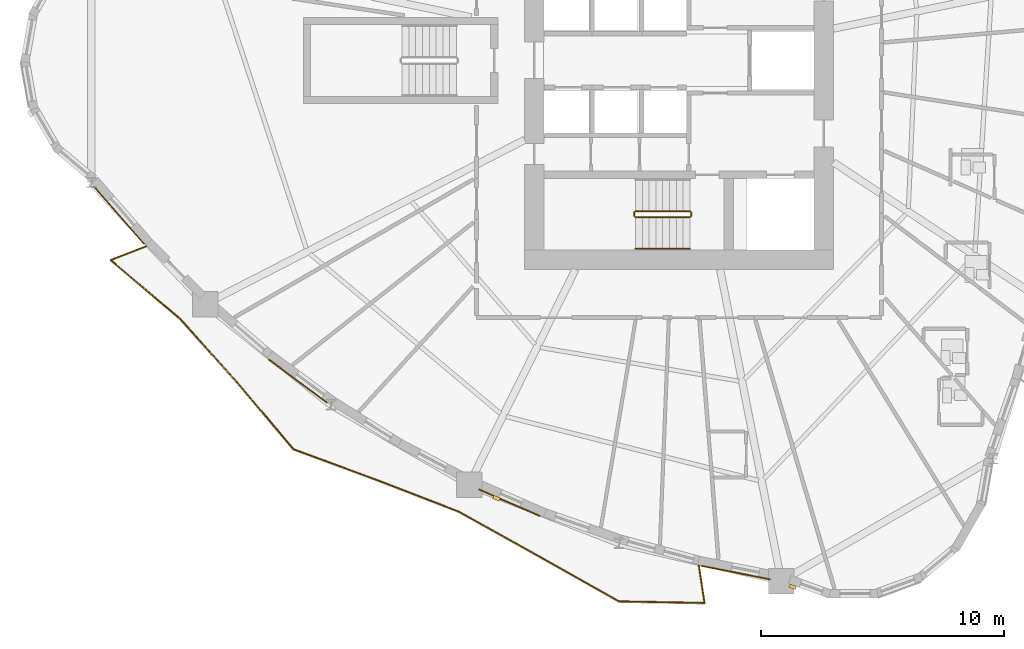
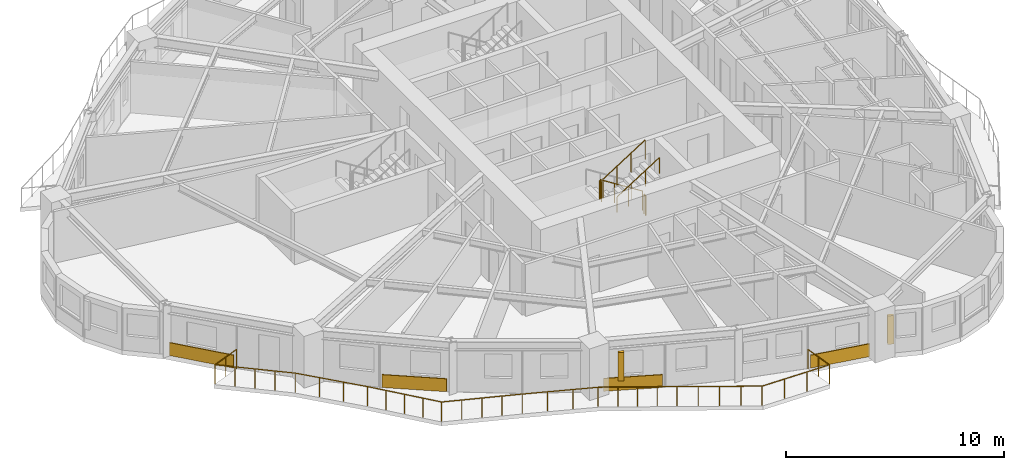
# One storey, part 10 of 13: 6 railings, 4 coverings, 2 shading devices.
"""IFC4 building model written with IfcOpenShell, lengths in metres."""

from ifc_helpers import new_model, si_unit, direction, frame, origin, origin_2d, place, context, subcontext, project, spatial, rectangle, circle, extrude, source, transform, mapped, material, layer, layer_set, type_object, element, save


model = new_model("IFC4")

# Units and contexts
model_context = context("Model", 3, precision=1e-05, world=origin(), true_north=direction((0.0, 1.0)))
body_context = subcontext(model_context, "Body", "Model", "MODEL_VIEW")
ifc_project = project(units=[si_unit("LENGTHUNIT", "METRE"), si_unit("AREAUNIT", "SQUARE_METRE"), si_unit("VOLUMEUNIT", "CUBIC_METRE"), si_unit("PLANEANGLEUNIT", "RADIAN"), si_unit("MASSUNIT", "GRAM", prefix="KILO")], contexts=[model_context])

# Site, building, storey
site_placement = place(None, origin())
site = spatial("IfcSite", under=ifc_project, at=site_placement, CompositionType="ELEMENT")
building_placement = place(site_placement, origin())
building = spatial("IfcBuilding", under=site, at=building_placement, Name="Qafzar Sky-Pleat Residences", CompositionType="ELEMENT")
storey_placement = place(building_placement, frame((0.0, 0.0, 62.199951171875)))
storey = spatial("IfcBuildingStorey", under=building, at=storey_placement, Name="L18", CompositionType="ELEMENT", Elevation=62.199951171875)

# Shading devices
ifc_material_1 = material(Name="Honed Riyadh limestone solar fin", Category="masonry")
ifc_layer_1 = layer(ifc_material_1, 0.139892578125)
ifc_layer_set_1 = layer_set([ifc_layer_1], Name="Honed Riyadh limestone solar fin")
shading_device_type = type_object("IfcShadingDeviceType", Name="SHD-FIN-STONE", PredefinedType="SHUTTER", material=ifc_layer_set_1)
shared_shape_1 = source(origin(), body_context, "Body", "SweptSolid", [
    extrude(rectangle(XDim=0.139892578125, YDim=0.280029296875, at=origin_2d()), origin(), (0.0, 0.0, 1.0), 1.60009765625),
])
for number, where, z_axis, x_axis, name in (
    (1, (22.841064453125, 7.992919921875, 0.60009765625), (0.0, 0.0, 1.0), (-0.398680668502, -0.917089812703, 0.0), "L18 Limestone Solar Fin 13"),
    (2, (35.025390625, 4.349853515625, 0.60009765625), (0.0, 0.0, 1.0), (-0.342010122116, -0.939696268148, 0.0), "L18 Limestone Solar Fin 17"),
):
    element("IfcShadingDevice", number, at=place(storey_placement, frame(where, z_axis=z_axis, x_axis=x_axis)), inside=storey, type_object=shading_device_type, Name=name, PredefinedType="SHUTTER", context=body_context, shape_type="MappedRepresentation", body=[
        mapped(shared_shape_1, transform((0.0, 0.0, 0.0), x_axis=(1.0, 0.0, 0.0), y_axis=(0.0, 1.0, 0.0), z_axis=(0.0, 0.0, 1.0), scale=1.0)),
    ])

# Railing
ifc_material_2 = material(Name="Laminated glass and bronze steel balustrade", Category="steel")
railing_type_1 = type_object("IfcRailingType", Name="RAIL-BAL-1100", PredefinedType="BALUSTRADE", material=ifc_material_2)
shared_shape_2 = source(origin(), body_context, "Body", "SweptSolid", [
    extrude(circle(Radius=0.02392578125, at=origin_2d()), frame((0.0, 0.0, 1.076171875), z_axis=(-0.931486844159, -0.36377501173, 0.0), x_axis=(0.36377501173, -0.931486844159, 0.0)), (0.0, 0.0, 1.0), 1.577880859375),
    extrude(circle(Radius=0.02392578125, at=origin_2d()), frame((-1.4697265625, -0.573974609375, 1.076171875), z_axis=(0.763477851211, -0.645834011733, 0.0), x_axis=(0.645834011733, 0.763477851211, 0.0)), (0.0, 0.0, 1.0), 3.74169921875),
    extrude(circle(Radius=0.02392578125, at=origin_2d()), frame((1.386962890625, -2.990478515625, 1.076171875), z_axis=(0.66855898606, -0.743659116907, 0.0), x_axis=(0.743659116907, 0.66855898606, 0.0)), (0.0, 0.0, 1.0), 3.491455078125),
    extrude(circle(Radius=0.02392578125, at=origin_2d()), frame((3.72119140625, -5.5869140625, 1.076171875), z_axis=(0.643786707783, -0.765204988798, 0.0), x_axis=(0.765204988798, 0.643786707783, 0.0)), (0.0, 0.0, 1.0), 3.619384765625),
    extrude(circle(Radius=0.02392578125, at=origin_2d()), frame((6.05126953125, -8.3564453125, 1.076171875), z_axis=(0.938365316755, -0.345645095889, 0.0), x_axis=(0.345645095889, 0.938365316755, 0.0)), (0.0, 0.0, 1.0), 3.7548828125),
    extrude(circle(Radius=0.02392578125, at=origin_2d()), frame((9.57470703125, -9.654296875, 1.076171875), z_axis=(0.932655934643, -0.360767109886, 0.0), x_axis=(0.360767109886, 0.932655934643, 0.0)), (0.0, 0.0, 1.0), 3.530517578125),
    extrude(circle(Radius=0.02392578125, at=origin_2d()), frame((12.867431640625, -10.927978515625, 1.076171875), z_axis=(0.873161609414, -0.487430819548, 0.0), x_axis=(0.487430819548, 0.873161609414, 0.0)), (0.0, 0.0, 1.0), 3.615234375),
    extrude(circle(Radius=0.02392578125, at=origin_2d()), frame((16.024169921875, -12.690185546875, 1.076171875), z_axis=(0.870966832131, -0.491341813127, 0.0), x_axis=(0.491341813127, 0.870966832131, 0.0)), (0.0, 0.0, 1.0), 3.9140625),
    extrude(circle(Radius=0.02392578125, at=origin_2d()), frame((19.43310546875, -14.61328125, 1.076171875), z_axis=(0.999826768842, -0.018612692098, 0.0), x_axis=(0.018612692098, 0.999826768842, 0.0)), (0.0, 0.0, 1.0), 3.528564453125),
    extrude(circle(Radius=0.02392578125, at=origin_2d()), frame((22.9609375, -14.678955078125, 1.076171875), z_axis=(-0.150708286598, 0.988578278312, 0.0), x_axis=(-0.988578278312, -0.150708286598, 0.0)), (0.0, 0.0, 1.0), 1.577880859375),
    extrude(circle(Radius=0.02099609375, at=origin_2d()), origin(), (0.0, 0.0, 1.0), 1.052001953125),
    extrude(circle(Radius=0.02099609375, at=origin_2d()), frame((-0.73486328125, -0.287109375, 0.0)), (0.0, 0.0, 1.0), 1.052001953125),
    extrude(circle(Radius=0.02099609375, at=origin_2d()), frame((-1.4697265625, -0.573974609375, 0.0)), (0.0, 0.0, 1.0), 1.052001953125),
    extrude(circle(Radius=0.02099609375, at=origin_2d()), frame((-0.755615234375, -1.17822265625, 0.0)), (0.0, 0.0, 1.0), 1.052001953125),
    extrude(circle(Radius=0.02099609375, at=origin_2d()), frame((-0.04150390625, -1.7822265625, 0.0)), (0.0, 0.0, 1.0), 1.052001953125),
    extrude(circle(Radius=0.02099609375, at=origin_2d()), frame((0.6728515625, -2.38623046875, 0.0)), (0.0, 0.0, 1.0), 1.052001953125),
    extrude(circle(Radius=0.02099609375, at=origin_2d()), frame((1.386962890625, -2.990478515625, 0.0)), (0.0, 0.0, 1.0), 1.052001953125),
    extrude(circle(Radius=0.02099609375, at=origin_2d()), frame((2.1650390625, -3.85595703125, 0.0)), (0.0, 0.0, 1.0), 1.052001953125),
    extrude(circle(Radius=0.02099609375, at=origin_2d()), frame((2.943115234375, -4.721435546875, 0.0)), (0.0, 0.0, 1.0), 1.052001953125),
    extrude(circle(Radius=0.02099609375, at=origin_2d()), frame((3.72119140625, -5.5869140625, 0.0)), (0.0, 0.0, 1.0), 1.052001953125),
    extrude(circle(Radius=0.02099609375, at=origin_2d()), frame((4.3037109375, -6.279296875, 0.0)), (0.0, 0.0, 1.0), 1.052001953125),
    extrude(circle(Radius=0.02099609375, at=origin_2d()), frame((4.88623046875, -6.9716796875, 0.0)), (0.0, 0.0, 1.0), 1.052001953125),
    extrude(circle(Radius=0.02099609375, at=origin_2d()), frame((5.46875, -7.6640625, 0.0)), (0.0, 0.0, 1.0), 1.052001953125),
    extrude(circle(Radius=0.02099609375, at=origin_2d()), frame((6.05126953125, -8.3564453125, 0.0)), (0.0, 0.0, 1.0), 1.052001953125),
    extrude(circle(Radius=0.02099609375, at=origin_2d()), frame((6.93212890625, -8.680908203125, 0.0)), (0.0, 0.0, 1.0), 1.052001953125),
    extrude(circle(Radius=0.02099609375, at=origin_2d()), frame((7.81298828125, -9.00537109375, 0.0)), (0.0, 0.0, 1.0), 1.052001953125),
    extrude(circle(Radius=0.02099609375, at=origin_2d()), frame((8.69384765625, -9.329833984375, 0.0)), (0.0, 0.0, 1.0), 1.052001953125),
    extrude(circle(Radius=0.02099609375, at=origin_2d()), frame((9.57470703125, -9.654296875, 0.0)), (0.0, 0.0, 1.0), 1.052001953125),
    extrude(circle(Radius=0.02099609375, at=origin_2d()), frame((10.67236328125, -10.078857421875, 0.0)), (0.0, 0.0, 1.0), 1.052001953125),
    extrude(circle(Radius=0.02099609375, at=origin_2d()), frame((11.769775390625, -10.50341796875, 0.0)), (0.0, 0.0, 1.0), 1.052001953125),
    extrude(circle(Radius=0.02099609375, at=origin_2d()), frame((12.867431640625, -10.927978515625, 0.0)), (0.0, 0.0, 1.0), 1.052001953125),
    extrude(circle(Radius=0.02099609375, at=origin_2d()), frame((13.65673828125, -11.36865234375, 0.0)), (0.0, 0.0, 1.0), 1.052001953125),
    extrude(circle(Radius=0.02099609375, at=origin_2d()), frame((14.44580078125, -11.80908203125, 0.0)), (0.0, 0.0, 1.0), 1.052001953125),
    extrude(circle(Radius=0.02099609375, at=origin_2d()), frame((15.23486328125, -12.24951171875, 0.0)), (0.0, 0.0, 1.0), 1.052001953125),
    extrude(circle(Radius=0.02099609375, at=origin_2d()), frame((16.024169921875, -12.690185546875, 0.0)), (0.0, 0.0, 1.0), 1.052001953125),
    extrude(circle(Radius=0.02099609375, at=origin_2d()), frame((16.87646484375, -13.1708984375, 0.0)), (0.0, 0.0, 1.0), 1.052001953125),
    extrude(circle(Radius=0.02099609375, at=origin_2d()), frame((17.728515625, -13.65185546875, 0.0)), (0.0, 0.0, 1.0), 1.052001953125),
    extrude(circle(Radius=0.02099609375, at=origin_2d()), frame((18.580810546875, -14.132568359375, 0.0)), (0.0, 0.0, 1.0), 1.052001953125),
    extrude(circle(Radius=0.02099609375, at=origin_2d()), frame((19.43310546875, -14.61328125, 0.0)), (0.0, 0.0, 1.0), 1.052001953125),
    extrude(circle(Radius=0.02099609375, at=origin_2d()), frame((20.609130859375, -14.63525390625, 0.0)), (0.0, 0.0, 1.0), 1.052001953125),
    extrude(circle(Radius=0.02099609375, at=origin_2d()), frame((21.784912109375, -14.656982421875, 0.0)), (0.0, 0.0, 1.0), 1.052001953125),
    extrude(circle(Radius=0.02099609375, at=origin_2d()), frame((22.9609375, -14.678955078125, 0.0)), (0.0, 0.0, 1.0), 1.052001953125),
    extrude(circle(Radius=0.02099609375, at=origin_2d()), frame((22.842041015625, -13.89892578125, 0.0)), (0.0, 0.0, 1.0), 1.052001953125),
    extrude(circle(Radius=0.02099609375, at=origin_2d()), frame((22.72314453125, -13.119140625, 0.0)), (0.0, 0.0, 1.0), 1.052001953125),
])
railing_1_placement = place(storey_placement, frame((8.44189453125, 18.36279296875, 0.0)))
element("IfcRailing", 3, at=railing_1_placement, inside=storey, type_object=railing_type_1, Name="L18 Pleated Balcony 3 Balustrade", PredefinedType="BALUSTRADE", context=body_context, shape_type="MappedRepresentation", body=[
    mapped(shared_shape_2, transform((0.0, 0.0, 0.0), x_axis=(1.0, 0.0, 0.0), y_axis=(0.0, 1.0, 0.0), z_axis=(0.0, 0.0, 1.0), scale=1.0)),
])

# Coverings
ifc_material_3 = material(Name="Honed Riyadh Tuwaiq limestone cladding", Category="masonry")
ifc_layer_2 = layer(ifc_material_3, 0.044921875)
ifc_layer_set_2 = layer_set([ifc_layer_2], Name="Honed Riyadh Tuwaiq limestone cladding")
covering_type = type_object("IfcCoveringType", Name="COV-CLAD-STONE", PredefinedType="CLADDING", material=ifc_layer_set_2)
shared_shape_3 = source(origin(), body_context, "Body", "SweptSolid", [
    extrude(rectangle(XDim=3.134033203125, YDim=0.044921875, at=origin_2d()), origin(), (0.0, 0.0, 1.0), 0.719970703125),
])
covering_1_placement = place(storey_placement, frame((7.316650390625, 19.635986328125, 0.02001953125), z_axis=(0.0, 0.0, 1.0), x_axis=(0.65761367339, -0.753355332211, 0.0)))
element("IfcCovering", 4, at=covering_1_placement, inside=storey, type_object=covering_type, Name="L18 Riyadh Limestone Spandrel Cladding 7", PredefinedType="CLADDING", context=body_context, shape_type="MappedRepresentation", body=[
    mapped(shared_shape_3, transform((0.0, 0.0, 0.0), x_axis=(1.0, 0.0, 0.0), y_axis=(0.0, 1.0, 0.0), z_axis=(0.0, 0.0, 1.0), scale=1.0)),
])
shared_shape_4 = source(origin(), body_context, "Body", "SweptSolid", [
    extrude(rectangle(XDim=2.9853515625, YDim=0.044921875, at=origin_2d()), origin(), (0.0, 0.0, 1.0), 0.719970703125),
])
covering_2_placement = place(storey_placement, frame((14.673095703125, 12.813232421875, 0.02001953125), z_axis=(0.0, 0.0, 1.0), x_axis=(0.803807590053, -0.594889366331, 0.0)))
element("IfcCovering", 5, at=covering_2_placement, inside=storey, type_object=covering_type, Name="L18 Riyadh Limestone Spandrel Cladding 10", PredefinedType="CLADDING", context=body_context, shape_type="MappedRepresentation", body=[
    mapped(shared_shape_4, transform((0.0, 0.0, 0.0), x_axis=(1.0, 0.0, 0.0), y_axis=(0.0, 1.0, 0.0), z_axis=(0.0, 0.0, 1.0), scale=1.0)),
])
shared_shape_5 = source(origin(), body_context, "Body", "SweptSolid", [
    extrude(rectangle(XDim=2.7333984375, YDim=0.044921875, at=origin_2d()), origin(), (0.0, 0.0, 1.0), 0.719970703125),
])
covering_3_placement = place(storey_placement, frame((23.371826171875, 7.80908203125, 0.02001953125), z_axis=(0.0, 0.0, 1.0), x_axis=(0.917082095474, -0.398698420064, 0.0)))
element("IfcCovering", 6, at=covering_3_placement, inside=storey, type_object=covering_type, Name="L18 Riyadh Limestone Spandrel Cladding 13", PredefinedType="CLADDING", context=body_context, shape_type="MappedRepresentation", body=[
    mapped(shared_shape_5, transform((0.0, 0.0, 0.0), x_axis=(1.0, 0.0, 0.0), y_axis=(0.0, 1.0, 0.0), z_axis=(0.0, 0.0, 1.0), scale=1.0)),
])
shared_shape_6 = source(origin(), body_context, "Body", "SweptSolid", [
    extrude(rectangle(XDim=2.882080078125, YDim=0.044921875, at=origin_2d()), origin(), (0.0, 0.0, 1.0), 0.719970703125),
])
covering_4_placement = place(storey_placement, frame((32.69287109375, 4.9326171875, 0.02001953125), z_axis=(0.0, 0.0, 1.0), x_axis=(0.981232153212, -0.192830136397, 0.0)))
element("IfcCovering", 7, at=covering_4_placement, inside=storey, type_object=covering_type, Name="L18 Riyadh Limestone Spandrel Cladding 16", PredefinedType="CLADDING", context=body_context, shape_type="MappedRepresentation", body=[
    mapped(shared_shape_6, transform((0.0, 0.0, 0.0), x_axis=(1.0, 0.0, 0.0), y_axis=(0.0, 1.0, 0.0), z_axis=(0.0, 0.0, 1.0), scale=1.0)),
])

# Railings
ifc_material_4 = material(Name="Painted Steel S355 stair guardrail", Category="steel")
railing_type_2 = type_object("IfcRailingType", Name="RAIL-STAIR-GUARD", PredefinedType="GUARDRAIL", material=ifc_material_4)
shared_shape_7 = source(origin(), body_context, "Body", "SweptSolid", [
    extrude(circle(Radius=0.02392578125, at=origin_2d()), frame((0.0, 0.0, 1.076171875), z_axis=(0.0, -1.0, 0.0), x_axis=(1.0, 0.0, 0.0)), (0.0, 0.0, 1.0), 0.14990234375),
    extrude(circle(Radius=0.02099609375, at=origin_2d()), origin(), (0.0, 0.0, 1.0), 1.052001953125),
    extrude(circle(Radius=0.02099609375, at=origin_2d()), frame((0.0, -0.14990234375, 0.0)), (0.0, 0.0, 1.0), 1.052001953125),
])
for number, where, name in (
    (8, (28.510009765625, 19.75, 1.60009765625), "L18 ST1 stair guard 2"),
    (9, (30.85009765625, 19.75, 0.0), "L18 ST1 stair guard 4"),
):
    element("IfcRailing", number, at=place(storey_placement, frame(where)), inside=storey, type_object=railing_type_2, Name=name, PredefinedType="GUARDRAIL", context=body_context, shape_type="MappedRepresentation", body=[
        mapped(shared_shape_7, transform((0.0, 0.0, 0.0), x_axis=(1.0, 0.0, 0.0), y_axis=(0.0, 1.0, 0.0), z_axis=(0.0, 0.0, 1.0), scale=1.0)),
    ])
shared_shape_8 = source(origin(), body_context, "Body", "SweptSolid", [
    extrude(circle(Radius=0.02392578125, at=origin_2d()), frame((0.0, 0.0, 1.076171875), z_axis=(0.8442293374, 0.0, 0.53598211339), x_axis=(0.0, 1.0, 0.0)), (0.0, 0.0, 1.0), 2.6533203125),
    extrude(circle(Radius=0.02099609375, at=origin_2d()), origin(), (0.0, 0.0, 1.0), 1.052001953125),
    extrude(circle(Radius=0.02099609375, at=origin_2d()), frame((0.74658203125, 0.0, 0.47412109375)), (0.0, 0.0, 1.0), 1.052001953125),
    extrude(circle(Radius=0.02099609375, at=origin_2d()), frame((1.493408203125, 0.0, 0.947998046875)), (0.0, 0.0, 1.0), 1.052001953125),
    extrude(circle(Radius=0.02099609375, at=origin_2d()), frame((2.239990234375, 0.0, 1.422119140625)), (0.0, 0.0, 1.0), 1.052001953125),
])
railing_2_placement = place(storey_placement, frame((28.56005859375, 19.550048828125, 1.77783203125)))
element("IfcRailing", 10, at=railing_2_placement, inside=storey, type_object=railing_type_2, Name="L18 ST1 stair guard 3", PredefinedType="GUARDRAIL", context=body_context, shape_type="MappedRepresentation", body=[
    mapped(shared_shape_8, transform((0.0, 0.0, 0.0), x_axis=(1.0, 0.0, 0.0), y_axis=(0.0, 1.0, 0.0), z_axis=(0.0, 0.0, 1.0), scale=1.0)),
])
ifc_material_5 = material(Name="Brushed stainless steel handrail", Category="steel")
railing_type_3 = type_object("IfcRailingType", Name="RAIL-STAIR-HAND", PredefinedType="HANDRAIL", material=ifc_material_5)
shared_shape_9 = source(origin(), body_context, "Body", "SweptSolid", [
    extrude(circle(Radius=0.02392578125, at=origin_2d()), frame((0.0, 0.0, 0.8759765625), z_axis=(0.8442293374, 0.0, 0.53598211339), x_axis=(0.0, 1.0, 0.0)), (0.0, 0.0, 1.0), 2.6533203125),
    extrude(circle(Radius=0.02099609375, at=origin_2d()), origin(), (0.0, 0.0, 1.0), 0.851806640625),
    extrude(circle(Radius=0.02099609375, at=origin_2d()), frame((0.74658203125, 0.0, 0.47412109375)), (0.0, 0.0, 1.0), 0.851806640625),
    extrude(circle(Radius=0.02099609375, at=origin_2d()), frame((1.493408203125, 0.0, 0.947998046875)), (0.0, 0.0, 1.0), 0.851806640625),
    extrude(circle(Radius=0.02099609375, at=origin_2d()), frame((2.239990234375, 0.0, 1.422119140625)), (0.0, 0.0, 1.0), 0.851806640625),
])
railing_3_placement = place(storey_placement, frame((28.56005859375, 18.25, 1.77783203125)))
element("IfcRailing", 11, at=railing_3_placement, inside=storey, type_object=railing_type_3, Name="L18 ST1 stair handrail 2", PredefinedType="HANDRAIL", context=body_context, shape_type="MappedRepresentation", body=[
    mapped(shared_shape_9, transform((0.0, 0.0, 0.0), x_axis=(1.0, 0.0, 0.0), y_axis=(0.0, 1.0, 0.0), z_axis=(0.0, 0.0, 1.0), scale=1.0)),
])
shared_shape_10 = source(origin(), body_context, "Body", "SweptSolid", [
    extrude(circle(Radius=0.02392578125, at=origin_2d()), frame((0.0, 0.0, 1.076171875), z_axis=(-0.84418770128, 0.0, 0.536047689118), x_axis=(0.0, -1.0, 0.0)), (0.0, 0.0, 1.0), 2.6533203125),
    extrude(circle(Radius=0.02099609375, at=origin_2d()), origin(), (0.0, 0.0, 1.0), 1.052001953125),
    extrude(circle(Radius=0.02099609375, at=origin_2d()), frame((-0.74658203125, 0.0, 0.47412109375)), (0.0, 0.0, 1.0), 1.052001953125),
    extrude(circle(Radius=0.02099609375, at=origin_2d()), frame((-1.493408203125, 0.0, 0.9482421875)), (0.0, 0.0, 1.0), 1.052001953125),
    extrude(circle(Radius=0.02099609375, at=origin_2d()), frame((-2.239990234375, 0.0, 1.42236328125)), (0.0, 0.0, 1.0), 1.052001953125),
])
railing_4_placement = place(storey_placement, frame((30.800048828125, 19.800048828125, 0.177734375)))
element("IfcRailing", 12, at=railing_4_placement, inside=storey, type_object=railing_type_2, Name="L18 ST1 stair guard 1", PredefinedType="GUARDRAIL", context=body_context, shape_type="MappedRepresentation", body=[
    mapped(shared_shape_10, transform((0.0, 0.0, 0.0), x_axis=(1.0, 0.0, 0.0), y_axis=(0.0, 1.0, 0.0), z_axis=(0.0, 0.0, 1.0), scale=1.0)),
])

save(model, "model.ifc")
